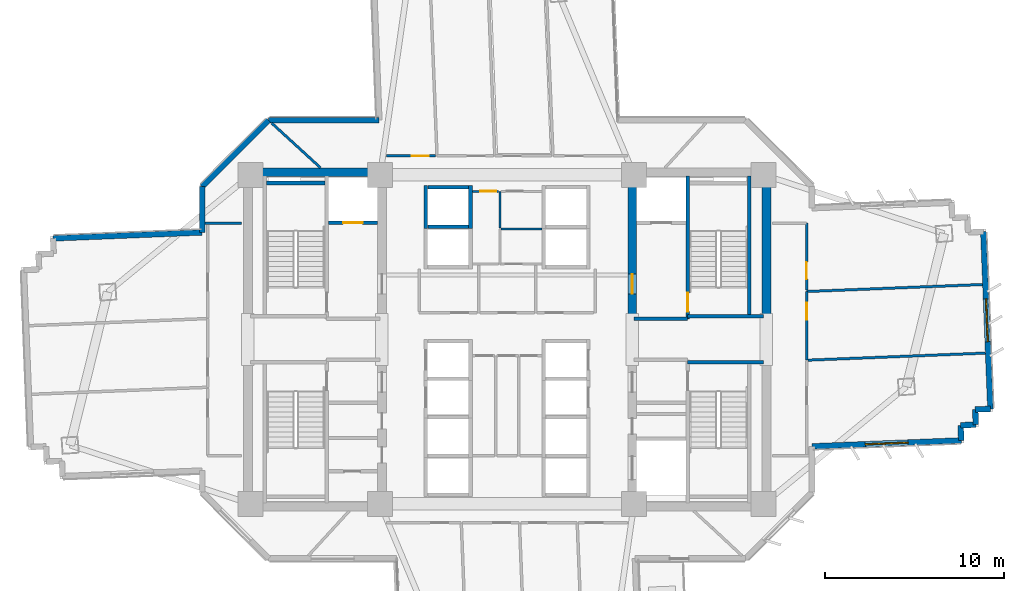
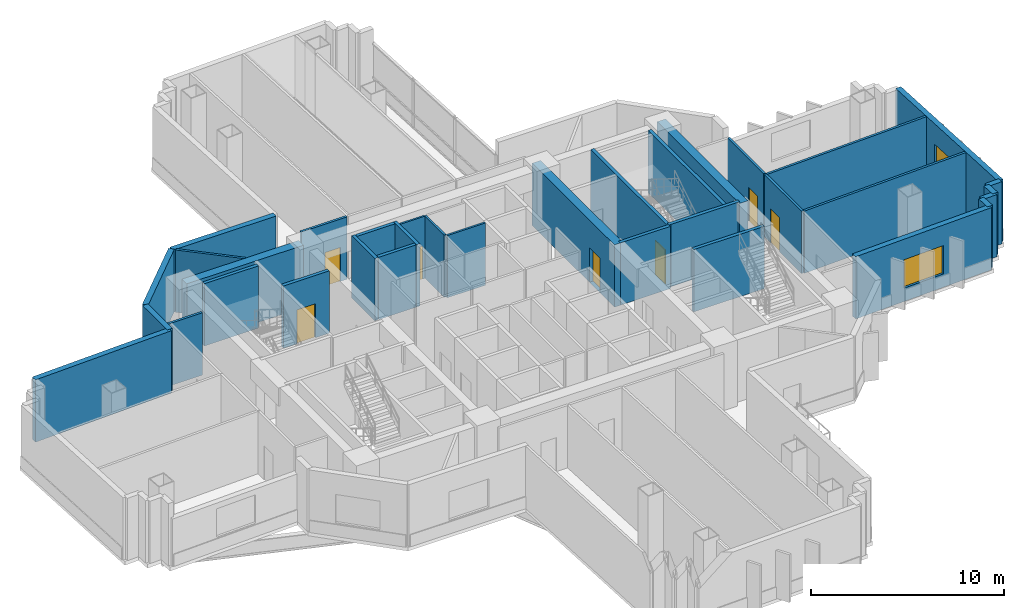
# One storey, part 9 of 16: 34 walls, 7 doors, 2 windows, 9 openings.
"""IFC4 building model written with IfcOpenShell, lengths in metres."""

from ifc_helpers import new_model, si_unit, direction, frame, frame_2d, origin, place, context, subcontext, project, spatial, rectangle, extrude, source, transform, mapped, material, layer, layer_set, type_object, element, fill, save


model = new_model("IFC4")

# Units and contexts
model_context = context("Model", 3, precision=1e-05, world=origin(), true_north=direction((0.0, 1.0)))
body_context = subcontext(model_context, "Body", "Model", "MODEL_VIEW")
ifc_project = project(units=[si_unit("LENGTHUNIT", "METRE"), si_unit("AREAUNIT", "SQUARE_METRE"), si_unit("VOLUMEUNIT", "CUBIC_METRE"), si_unit("PLANEANGLEUNIT", "RADIAN"), si_unit("MASSUNIT", "GRAM", prefix="KILO")], contexts=[model_context])

# Site, building, storey
site_placement = place(None, origin())
site = spatial("IfcSite", under=ifc_project, at=site_placement, CompositionType="ELEMENT")
building_placement = place(site_placement, origin())
building = spatial("IfcBuilding", under=site, at=building_placement, Name="Zahravan Cultural Tower", CompositionType="ELEMENT")
storey_placement = place(building_placement, frame((0.0, 0.0, 54.300048828125)))
storey = spatial("IfcBuildingStorey", under=building, at=storey_placement, Name="L11", CompositionType="ELEMENT", Elevation=54.300048828125)

# Wall, opening, door
ifc_material_1 = material(Name="Concrete C60/75", Category="concrete")
ifc_layer_1 = layer(ifc_material_1, 0.5)
ifc_layer_set_1 = layer_set([ifc_layer_1], Name="Concrete C60/75")
wall_type_1 = type_object("IfcWallType", Name="CW-SHEAR-500-C60", PredefinedType="SHEAR", material=ifc_layer_set_1)
wall_1_placement = place(storey_placement, frame((43.0, 28.050048828125, 0.0), z_axis=(0.0, 0.0, 1.0), x_axis=(0.0, 1.0, 0.0)))
wall_1 = element("IfcWall", 1, at=wall_1_placement, inside=storey, type_object=wall_type_1, Name="L11 Core Shear Wall CW-E-WN-L11", PredefinedType="SHEAR", context=body_context, shape_type="SweptSolid", body=[
    extrude(rectangle(XDim=8.550048828125, YDim=0.5, at=frame_2d((4.27490234375, 0.0))), origin(), (0.0, 0.0, 1.0), 3.949951171875),
])
opening_1_placement = place(wall_1_placement, frame((1.5, 0.0, 0.0)))
opening_1 = element("IfcOpeningElement", 2, at=opening_1_placement, cuts=wall_1, Name="Opening D-L11-06", PredefinedType="OPENING", context=body_context, shape_type="SweptSolid", body=[
    extrude(rectangle(XDim=1.10009765625, YDim=2.199951171875, at=frame_2d((0.550048828125, 1.10009765625))), frame((0.0, 0.260009765625, 0.0), z_axis=(0.0, -1.0, 0.0), x_axis=(1.0, 0.0, 0.0)), (0.0, 0.0, 1.0), 0.52001953125),
])
ifc_material_2 = material(Name="Steel ASTM A572 Grade 50", Category="steel")
door_type_1 = type_object("IfcDoorType", Name="DR-LOBBY-1100", OperationType="NOTDEFINED", PredefinedType="DOOR", material=ifc_material_2)
shared_shape_1 = source(origin(), body_context, "Body", "SweptSolid", [
    extrude(rectangle(XDim=1.10009765625, YDim=2.199951171875, at=frame_2d((0.550048828125, 1.10009765625))), frame((0.0, 0.02490234375, 0.0), z_axis=(0.0, -1.0, 0.0), x_axis=(1.0, 0.0, 0.0)), (0.0, 0.0, 1.0), 0.050048828125),
])
door_1_placement = place(opening_1_placement, origin())
door_1 = element("IfcDoor", 3, at=door_1_placement, inside=storey, type_object=door_type_1, Name="L11 Door D-L11-06", OperationType="SINGLE_SWING_RIGHT", OverallHeight=2.199951171875, OverallWidth=1.10009765625, PredefinedType="DOOR", context=body_context, shape_type="MappedRepresentation", body=[
    mapped(shared_shape_1, transform((0.0, 0.0, 0.0), x_axis=(1.0, 0.0, 0.0), y_axis=(0.0, 1.0, 0.0), z_axis=(0.0, 0.0, 1.0), scale=1.0)),
])
fill(opening_1, door_1)

# Wall, opening, window
ifc_material_3 = material(Name="Precast concrete C40/50", Category="concrete")
ifc_layer_2 = layer(ifc_material_3, 0.320068359375)
ifc_layer_set_2 = layer_set([ifc_layer_2], Name="Precast concrete C40/50")
wall_type_2 = type_object("IfcWallType", Name="EW-TC-320", PredefinedType="SOLIDWALL", material=ifc_layer_set_2)
wall_2_placement = place(storey_placement, frame((62.641357421875, 33.024658203125, 0.0), z_axis=(0.0, 0.0, 1.0), x_axis=(0.03977146366, -0.999208802342, 0.0)))
wall_2 = element("IfcWall", 4, at=wall_2_placement, inside=storey, type_object=wall_type_2, Name="L11 Exterior Masonry Frame Wall 06", PredefinedType="SOLIDWALL", context=body_context, shape_type="SweptSolid", body=[
    extrude(rectangle(XDim=9.919921875, YDim=0.320068359375, at=frame_2d((4.9599609375, 0.0))), origin(), (0.0, 0.0, 1.0), 3.949951171875),
])
opening_2_placement = place(wall_2_placement, frame((3.760009765625, 0.0, 0.85009765625)))
opening_2 = element("IfcOpeningElement", 5, at=opening_2_placement, cuts=wall_2, Name="Opening WN-01", PredefinedType="OPENING", context=body_context, shape_type="SweptSolid", body=[
    extrude(rectangle(XDim=2.39990234375, YDim=1.800048828125, at=frame_2d((1.199951171875, 0.89990234375))), frame((0.0, 0.169921875, 0.0), z_axis=(0.0, -1.0, 0.0), x_axis=(1.0, 0.0, 0.0)), (0.0, 0.0, 1.0), 0.340087890625),
])
ifc_material_4 = material(Name="Low-E solar-control double glazing", Category="glass")
window_type = type_object("IfcWindowType", Name="WN-REC-2400X1800", PartitioningType="DOUBLE_PANEL_VERTICAL", PredefinedType="WINDOW", material=ifc_material_4)
shared_shape_2 = source(origin(), body_context, "Body", "SweptSolid", [
    extrude(rectangle(XDim=2.39990234375, YDim=1.800048828125, at=frame_2d((1.199951171875, 0.89990234375))), frame((0.0, 0.030029296875, 0.0), z_axis=(0.0, -1.0, 0.0), x_axis=(1.0, 0.0, 0.0)), (0.0, 0.0, 1.0), 0.06005859375),
])
window_1_placement = place(opening_2_placement, origin())
window_1 = element("IfcWindow", 6, at=window_1_placement, inside=storey, type_object=window_type, Name="L11 Recessed Solar Window 02", OverallHeight=1.800048828125, OverallWidth=2.39990234375, PartitioningType="DOUBLE_PANEL_VERTICAL", PredefinedType="WINDOW", context=body_context, shape_type="MappedRepresentation", body=[
    mapped(shared_shape_2, transform((0.0, 0.0, 0.0), x_axis=(1.0, 0.0, 0.0), y_axis=(0.0, 1.0, 0.0), z_axis=(0.0, 0.0, 1.0), scale=1.0)),
])
fill(opening_2, window_1)

wall_3_placement = place(storey_placement, frame((61.405029296875, 21.34619140625, 0.0), z_axis=(0.0, 0.0, 1.0), x_axis=(-0.999208226989, -0.039785916063, 0.0)))
wall_3 = element("IfcWall", 7, at=wall_3_placement, inside=storey, type_object=wall_type_2, Name="L11 Exterior Masonry Frame Wall 11", PredefinedType="SOLIDWALL", context=body_context, shape_type="SweptSolid", body=[
    extrude(rectangle(XDim=8.3515625, YDim=0.320068359375, at=frame_2d((4.17578125, 0.0))), origin(), (0.0, 0.0, 1.0), 3.949951171875),
])
opening_3_placement = place(wall_3_placement, frame((2.97607421875, 0.0, 0.85009765625)))
opening_3 = element("IfcOpeningElement", 8, at=opening_3_placement, cuts=wall_3, Name="Opening WN-01", PredefinedType="OPENING", context=body_context, shape_type="SweptSolid", body=[
    extrude(rectangle(XDim=2.39990234375, YDim=1.800048828125, at=frame_2d((1.199951171875, 0.89990234375))), frame((0.0, 0.169921875, 0.0), z_axis=(0.0, -1.0, 0.0), x_axis=(1.0, 0.0, 0.0)), (0.0, 0.0, 1.0), 0.340087890625),
])
window_2_placement = place(opening_3_placement, origin())
window_2 = element("IfcWindow", 9, at=window_2_placement, inside=storey, type_object=window_type, Name="L11 Recessed Solar Window 03", OverallHeight=1.800048828125, OverallWidth=2.39990234375, PartitioningType="DOUBLE_PANEL_VERTICAL", PredefinedType="WINDOW", context=body_context, shape_type="MappedRepresentation", body=[
    mapped(shared_shape_2, transform((0.0, 0.0, 0.0), x_axis=(1.0, 0.0, 0.0), y_axis=(0.0, 1.0, 0.0), z_axis=(0.0, 0.0, 1.0), scale=1.0)),
])
fill(opening_3, window_2)

# Wall, opening, door
ifc_material_5 = material(Name="Gypsum plasterboard partition")
ifc_layer_3 = layer(ifc_material_5, 0.139892578125)
ifc_layer_set_3 = layer_set([ifc_layer_3], Name="Gypsum plasterboard partition")
wall_type_3 = type_object("IfcWallType", Name="W-PART-140", PredefinedType="PARTITIONING", material=ifc_layer_set_3)
wall_4_placement = place(storey_placement, frame((52.75, 25.83544921875, 0.0), z_axis=(0.0, 0.0, 1.0), x_axis=(0.0, 1.0, 0.0)))
wall_4 = element("IfcWall", 10, at=wall_4_placement, inside=storey, type_object=wall_type_3, Name="L11 Interior Wall 091", PredefinedType="PARTITIONING", context=body_context, shape_type="SweptSolid", body=[
    extrude(rectangle(XDim=3.843017578125, YDim=0.139892578125, at=frame_2d((1.92138671875, 0.0))), origin(), (0.0, 0.0, 1.0), 3.949951171875),
])
opening_4_placement = place(wall_4_placement, frame((2.256591796875, 0.0, 0.0)))
opening_4 = element("IfcOpeningElement", 11, at=opening_4_placement, cuts=wall_4, Name="Opening D-L11-22", PredefinedType="OPENING", context=body_context, shape_type="SweptSolid", body=[
    extrude(rectangle(XDim=0.949951171875, YDim=2.14990234375, at=frame_2d((0.47509765625, 1.074951171875))), frame((0.0, 0.079833984375, 0.0), z_axis=(0.0, -1.0, 0.0), x_axis=(1.0, 0.0, 0.0)), (0.0, 0.0, 1.0), 0.159912109375),
])
ifc_material_6 = material(Name="Anodised bronze-aluminium mullion", Category="aluminium")
door_type_2 = type_object("IfcDoorType", Name="DR-ROOM-950", OperationType="NOTDEFINED", PredefinedType="DOOR", material=ifc_material_6)
shared_shape_3 = source(origin(), body_context, "Body", "SweptSolid", [
    extrude(rectangle(XDim=0.949951171875, YDim=2.14990234375, at=frame_2d((0.47509765625, 1.074951171875))), frame((0.0, 0.02490234375, 0.0), z_axis=(0.0, -1.0, 0.0), x_axis=(1.0, 0.0, 0.0)), (0.0, 0.0, 1.0), 0.050048828125),
])
door_2_placement = place(opening_4_placement, origin())
door_2 = element("IfcDoor", 12, at=door_2_placement, inside=storey, type_object=door_type_2, Name="L11 Door D-L11-22", OperationType="SINGLE_SWING_RIGHT", OverallHeight=2.14990234375, OverallWidth=0.949951171875, PredefinedType="DOOR", context=body_context, shape_type="MappedRepresentation", body=[
    mapped(shared_shape_3, transform((0.0, 0.0, 0.0), x_axis=(1.0, 0.0, 0.0), y_axis=(0.0, 1.0, 0.0), z_axis=(0.0, 0.0, 1.0), scale=1.0)),
])
fill(opening_4, door_2)

wall_5_placement = place(storey_placement, frame((32.003662109375, 37.260009765625, 0.0), z_axis=(0.0, 0.0, 1.0), x_axis=(-0.999999996048, -8.8904694e-05, 0.0)))
wall_5 = element("IfcWall", 13, at=wall_5_placement, inside=storey, type_object=wall_type_3, Name="L11 Interior Wall 112", PredefinedType="PARTITIONING", context=body_context, shape_type="SweptSolid", body=[
    extrude(rectangle(XDim=2.74609375, YDim=0.139892578125, at=frame_2d((1.373046875, 0.0))), origin(), (0.0, 0.0, 1.0), 3.949951171875),
])
opening_5_placement = place(wall_5_placement, frame((0.39501953125, 0.0, 0.0)))
opening_5 = element("IfcOpeningElement", 14, at=opening_5_placement, cuts=wall_5, Name="Opening D-L11-27", PredefinedType="OPENING", context=body_context, shape_type="SweptSolid", body=[
    extrude(rectangle(XDim=0.949951171875, YDim=2.14990234375, at=frame_2d((0.47509765625, 1.074951171875))), frame((0.0, 0.079833984375, 0.0), z_axis=(0.0, -1.0, 0.0), x_axis=(1.0, 0.0, 0.0)), (0.0, 0.0, 1.0), 0.159912109375),
])
door_3_placement = place(opening_5_placement, origin())
door_3 = element("IfcDoor", 15, at=door_3_placement, inside=storey, type_object=door_type_2, Name="L11 Door D-L11-27", OperationType="SINGLE_SWING_LEFT", OverallHeight=2.14990234375, OverallWidth=0.949951171875, PredefinedType="DOOR", context=body_context, shape_type="MappedRepresentation", body=[
    mapped(shared_shape_3, transform((0.0, 0.0, 0.0), x_axis=(1.0, 0.0, 0.0), y_axis=(0.0, 1.0, 0.0), z_axis=(0.0, 0.0, 1.0), scale=1.0)),
])
fill(opening_5, door_3)

wall_6_placement = place(storey_placement, frame((52.75, 29.75341796875, 0.0), z_axis=(0.0, 0.0, 1.0), x_axis=(-0.000326030238, 0.999999946852, 0.0)))
wall_6 = element("IfcWall", 16, at=wall_6_placement, inside=storey, type_object=wall_type_3, Name="L11 Interior Wall 119", PredefinedType="PARTITIONING", context=body_context, shape_type="SweptSolid", body=[
    extrude(rectangle(XDim=3.744140625, YDim=0.139892578125, at=frame_2d((1.8720703125, 0.0))), origin(), (0.0, 0.0, 1.0), 3.949951171875),
])
opening_6_placement = place(wall_6_placement, frame((0.61474609375, 0.0, 0.0)))
opening_6 = element("IfcOpeningElement", 17, at=opening_6_placement, cuts=wall_6, Name="Opening D-L11-23", PredefinedType="OPENING", context=body_context, shape_type="SweptSolid", body=[
    extrude(rectangle(XDim=0.949951171875, YDim=2.14990234375, at=frame_2d((0.47509765625, 1.074951171875))), frame((0.0, 0.079833984375, 0.0), z_axis=(0.0, -1.0, 0.0), x_axis=(1.0, 0.0, 0.0)), (0.0, 0.0, 1.0), 0.159912109375),
])
door_4_placement = place(opening_6_placement, origin())
door_4 = element("IfcDoor", 18, at=door_4_placement, inside=storey, type_object=door_type_2, Name="L11 Door D-L11-23", OperationType="SINGLE_SWING_LEFT", OverallHeight=2.14990234375, OverallWidth=0.949951171875, PredefinedType="DOOR", context=body_context, shape_type="MappedRepresentation", body=[
    mapped(shared_shape_3, transform((0.0, 0.0, 0.0), x_axis=(1.0, 0.0, 0.0), y_axis=(0.0, 1.0, 0.0), z_axis=(0.0, 0.0, 1.0), scale=1.0)),
])
fill(opening_6, door_4)

ifc_material_7 = material(Name="Concrete C45/55", Category="concrete")
ifc_layer_4 = layer(ifc_material_7, 0.199951171875)
ifc_layer_set_4 = layer_set([ifc_layer_4], Name="Concrete C45/55")
wall_type_4 = type_object("IfcWallType", Name="W-SHAFT-200", PredefinedType="SOLIDWALL", material=ifc_layer_set_4)
wall_7_placement = place(storey_placement, frame((46.10009765625, 28.14990234375, 0.0), z_axis=(0.0, 0.0, 1.0), x_axis=(0.0, 1.0, 0.0)))
wall_7 = element("IfcWall", 19, at=wall_7_placement, inside=storey, type_object=wall_type_4, Name="L11 Interior Wall 008", PredefinedType="SOLIDWALL", context=body_context, shape_type="SweptSolid", body=[
    extrude(rectangle(XDim=8.0, YDim=0.199951171875, at=frame_2d((4.0, 0.0))), origin(), (0.0, 0.0, 1.0), 3.949951171875),
])
opening_7_placement = place(wall_7_placement, frame((0.39990234375, 0.0, 0.0)))
opening_7 = element("IfcOpeningElement", 20, at=opening_7_placement, cuts=wall_7, Name="Opening D-L11-02", PredefinedType="OPENING", context=body_context, shape_type="SweptSolid", body=[
    extrude(rectangle(XDim=1.050048828125, YDim=2.14990234375, at=frame_2d((0.52490234375, 1.074951171875))), frame((0.0, 0.10986328125, 0.0), z_axis=(0.0, -1.0, 0.0), x_axis=(1.0, 0.0, 0.0)), (0.0, 0.0, 1.0), 0.219970703125),
])
door_type_3 = type_object("IfcDoorType", Name="DR-STAIR-1050", OperationType="NOTDEFINED", PredefinedType="DOOR", material=ifc_material_2)
shared_shape_4 = source(origin(), body_context, "Body", "SweptSolid", [
    extrude(rectangle(XDim=1.050048828125, YDim=2.14990234375, at=frame_2d((0.52490234375, 1.074951171875))), frame((0.0, 0.02490234375, 0.0), z_axis=(0.0, -1.0, 0.0), x_axis=(1.0, 0.0, 0.0)), (0.0, 0.0, 1.0), 0.050048828125),
])
door_5_placement = place(opening_7_placement, origin())
door_5 = element("IfcDoor", 21, at=door_5_placement, inside=storey, type_object=door_type_3, Name="L11 Door D-L11-02", OperationType="SINGLE_SWING_RIGHT", OverallHeight=2.14990234375, OverallWidth=1.050048828125, PredefinedType="DOOR", context=body_context, shape_type="MappedRepresentation", body=[
    mapped(shared_shape_4, transform((0.0, 0.0, 0.0), x_axis=(1.0, 0.0, 0.0), y_axis=(0.0, 1.0, 0.0), z_axis=(0.0, 0.0, 1.0), scale=1.0)),
])
fill(opening_7, door_5)

wall_8_placement = place(storey_placement, frame((26.0, 33.52001953125, 0.0), z_axis=(0.0, 0.0, 1.0), x_axis=(1.0, 0.0, 0.0)))
wall_8 = element("IfcWall", 22, at=wall_8_placement, inside=storey, type_object=wall_type_4, Name="L11 Interior Wall 021", PredefinedType="SOLIDWALL", context=body_context, shape_type="SweptSolid", body=[
    extrude(rectangle(XDim=2.75, YDim=0.199951171875, at=frame_2d((1.375, 0.0))), origin(), (0.0, 0.0, 1.0), 3.949951171875),
])
opening_8_placement = place(wall_8_placement, frame((0.820068359375, 0.0, 0.0)))
opening_8 = element("IfcOpeningElement", 23, at=opening_8_placement, cuts=wall_8, Name="Opening LD-L11-01", PredefinedType="OPENING", context=body_context, shape_type="SweptSolid", body=[
    extrude(rectangle(XDim=1.10009765625, YDim=2.14990234375, at=frame_2d((0.550048828125, 1.074951171875))), frame((0.0, 0.10986328125, 0.0), z_axis=(0.0, -1.0, 0.0), x_axis=(1.0, 0.0, 0.0)), (0.0, 0.0, 1.0), 0.219970703125),
])
door_type_4 = type_object("IfcDoorType", Name="DR-LIFT-1100", OperationType="DOUBLE_DOOR_SLIDING", PredefinedType="DOOR", material=ifc_material_2)
shared_shape_5 = source(origin(), body_context, "Body", "SweptSolid", [
    extrude(rectangle(XDim=1.10009765625, YDim=2.14990234375, at=frame_2d((0.550048828125, 1.074951171875))), frame((0.0, 0.02490234375, 0.0), z_axis=(0.0, -1.0, 0.0), x_axis=(1.0, 0.0, 0.0)), (0.0, 0.0, 1.0), 0.050048828125),
])
door_6_placement = place(opening_8_placement, origin())
door_6 = element("IfcDoor", 24, at=door_6_placement, inside=storey, type_object=door_type_4, Name="L11 Door LD-L11-01", OperationType="DOUBLE_DOOR_SLIDING", OverallHeight=2.14990234375, OverallWidth=1.10009765625, PredefinedType="DOOR", context=body_context, shape_type="MappedRepresentation", body=[
    mapped(shared_shape_5, transform((0.0, 0.0, 0.0), x_axis=(1.0, 0.0, 0.0), y_axis=(0.0, 1.0, 0.0), z_axis=(0.0, 0.0, 1.0), scale=1.0)),
])
fill(opening_8, door_6)

ifc_layer_5 = layer(ifc_material_5, 0.114990234375)
ifc_layer_set_5 = layer_set([ifc_layer_5], Name="Gypsum plasterboard partition")
wall_type_5 = type_object("IfcWallType", Name="W-WC-115", PredefinedType="PARTITIONING", material=ifc_layer_set_5)
wall_9_placement = place(storey_placement, frame((34.054931640625, 35.280029296875, 0.0), z_axis=(0.0, 0.0, 1.0), x_axis=(1.0, 0.0, 0.0)))
wall_9 = element("IfcWall", 25, at=wall_9_placement, inside=storey, type_object=wall_type_5, Name="L11 Interior Wall 075", PredefinedType="PARTITIONING", context=body_context, shape_type="SweptSolid", body=[
    extrude(rectangle(XDim=1.47265625, YDim=0.114990234375, at=frame_2d((0.736328125, 0.0))), origin(), (0.0, 0.0, 1.0), 3.949951171875),
])
opening_9_placement = place(wall_9_placement, frame((0.4326171875, 0.0, 0.0)))
opening_9 = element("IfcOpeningElement", 26, at=opening_9_placement, cuts=wall_9, Name="Opening D-L11-13", PredefinedType="OPENING", context=body_context, shape_type="SweptSolid", body=[
    extrude(rectangle(XDim=0.89990234375, YDim=2.10009765625, at=frame_2d((0.449951171875, 1.050048828125))), frame((0.0, 0.0673828125, 0.0), z_axis=(0.0, -1.0, 0.0), x_axis=(1.0, 0.0, 0.0)), (0.0, 0.0, 1.0), 0.135009765625),
])
door_type_5 = type_object("IfcDoorType", Name="DR-WC-900", OperationType="NOTDEFINED", PredefinedType="DOOR", material=ifc_material_6)
shared_shape_6 = source(origin(), body_context, "Body", "SweptSolid", [
    extrude(rectangle(XDim=0.89990234375, YDim=2.10009765625, at=frame_2d((0.449951171875, 1.050048828125))), frame((0.0, 0.02490234375, 0.0), z_axis=(0.0, -1.0, 0.0), x_axis=(1.0, 0.0, 0.0)), (0.0, 0.0, 1.0), 0.050048828125),
])
door_7_placement = place(opening_9_placement, origin())
door_7 = element("IfcDoor", 27, at=door_7_placement, inside=storey, type_object=door_type_5, Name="L11 Door D-L11-13", OperationType="SINGLE_SWING_LEFT", OverallHeight=2.10009765625, OverallWidth=0.89990234375, PredefinedType="DOOR", context=body_context, shape_type="MappedRepresentation", body=[
    mapped(shared_shape_6, transform((0.0, 0.0, 0.0), x_axis=(1.0, 0.0, 0.0), y_axis=(0.0, 1.0, 0.0), z_axis=(0.0, 0.0, 1.0), scale=1.0)),
])
fill(opening_9, door_7)

# Walls
shared_shape_7 = source(origin(), body_context, "Body", "SweptSolid", [
    extrude(rectangle(XDim=8.550048828125, YDim=0.5, at=frame_2d((4.27490234375, 0.0))), origin(), (0.0, 0.0, 1.0), 3.949951171875),
])
wall_10_placement = place(storey_placement, frame((50.5, 28.050048828125, 0.0), z_axis=(0.0, 0.0, 1.0), x_axis=(0.0, 1.0, 0.0)))
element("IfcWall", 28, at=wall_10_placement, inside=storey, type_object=wall_type_1, Name="L11 Core Shear Wall CW-E-EN-L11", PredefinedType="SHEAR", context=body_context, shape_type="MappedRepresentation", body=[
    mapped(shared_shape_7, transform((0.0, 0.0, 0.0), x_axis=(1.0, 0.0, 0.0), y_axis=(0.0, 1.0, 0.0), z_axis=(0.0, 0.0, 1.0), scale=1.0)),
])
shared_shape_8 = source(origin(), body_context, "Body", "SweptSolid", [
    extrude(rectangle(XDim=7.0, YDim=0.5, at=frame_2d((3.5, 0.0))), origin(), (0.0, 0.0, 1.0), 3.949951171875),
])
wall_11_placement = place(storey_placement, frame((21.75, 36.35009765625, 0.0), z_axis=(0.0, 0.0, 1.0), x_axis=(1.0, 0.0, 0.0)))
element("IfcWall", 29, at=wall_11_placement, inside=storey, type_object=wall_type_1, Name="L11 Core Shear Wall CW-W-N-L11", PredefinedType="SHEAR", context=body_context, shape_type="MappedRepresentation", body=[
    mapped(shared_shape_8, transform((0.0, 0.0, 0.0), x_axis=(1.0, 0.0, 0.0), y_axis=(0.0, 1.0, 0.0), z_axis=(0.0, 0.0, 1.0), scale=1.0)),
])
shared_shape_9 = source(origin(), body_context, "Body", "SweptSolid", [
    extrude(rectangle(XDim=0.849853515625, YDim=0.320068359375, at=frame_2d((0.4248046875, 0.0))), origin(), (0.0, 0.0, 1.0), 3.949951171875),
])
wall_12_placement = place(storey_placement, frame((63.035888671875, 23.112548828125, 0.0), z_axis=(0.0, 0.0, 1.0), x_axis=(-0.999202334929, -0.039933618331, 0.0)))
element("IfcWall", 30, at=wall_12_placement, inside=storey, type_object=wall_type_2, Name="L11 Exterior Masonry Frame Wall 07", PredefinedType="SOLIDWALL", context=body_context, shape_type="MappedRepresentation", body=[
    mapped(shared_shape_9, transform((0.0, 0.0, 0.0), x_axis=(1.0, 0.0, 0.0), y_axis=(0.0, 1.0, 0.0), z_axis=(0.0, 0.0, 1.0), scale=1.0)),
])
shared_shape_10 = source(origin(), body_context, "Body", "SweptSolid", [
    extrude(rectangle(XDim=0.85009765625, YDim=0.320068359375, at=frame_2d((0.425048828125, 0.0))), origin(), (0.0, 0.0, 1.0), 3.949951171875),
])
for number, where, z_axis, x_axis, name in (
    (31, (62.186767578125, 23.07861328125, 0.0), (0.0, 0.0, 1.0), (0.039635401209, -0.999214208752, 0.0), "L11 Exterior Masonry Frame Wall 08"),
    (32, (62.220458984375, 22.229248046875, 0.0), (0.0, 0.0, 1.0), (-0.999214208752, -0.039635401209, 0.0), "L11 Exterior Masonry Frame Wall 09"),
    (33, (61.37109375, 22.195556640625, 0.0), (0.0, 0.0, 1.0), (0.039922158152, -0.999202792875, 0.0), "L11 Exterior Masonry Frame Wall 10"),
):
    element("IfcWall", number, at=place(storey_placement, frame(where, z_axis=z_axis, x_axis=x_axis)), inside=storey, type_object=wall_type_2, Name=name, PredefinedType="SOLIDWALL", context=body_context, shape_type="MappedRepresentation", body=[
        mapped(shared_shape_10, transform((0.0, 0.0, 0.0), x_axis=(1.0, 0.0, 0.0), y_axis=(0.0, 1.0, 0.0), z_axis=(0.0, 0.0, 1.0), scale=1.0)),
    ])
shared_shape_11 = source(origin(), body_context, "Body", "SweptSolid", [
    extrude(rectangle(XDim=5.258056640625, YDim=0.320068359375, at=frame_2d((2.62890625, 0.0))), origin(), (0.0, 0.0, 1.0), 3.949951171875),
])
wall_13_placement = place(storey_placement, frame((18.93994140625, 35.5419921875, 0.0), z_axis=(0.0, 0.0, 1.0), x_axis=(0.707106781187, 0.707106781187, 0.0)))
element("IfcWall", 34, at=wall_13_placement, inside=storey, type_object=wall_type_2, Name="L11 Exterior Masonry Frame Wall 40", PredefinedType="SOLIDWALL", context=body_context, shape_type="MappedRepresentation", body=[
    mapped(shared_shape_11, transform((0.0, 0.0, 0.0), x_axis=(1.0, 0.0, 0.0), y_axis=(0.0, 1.0, 0.0), z_axis=(0.0, 0.0, 1.0), scale=1.0)),
])
shared_shape_12 = source(origin(), body_context, "Body", "SweptSolid", [
    extrude(rectangle(XDim=2.555908203125, YDim=0.320068359375, at=frame_2d((1.27783203125, 0.0))), origin(), (0.0, 0.0, 1.0), 3.949951171875),
])
wall_14_placement = place(storey_placement, frame((18.93994140625, 32.986083984375, 0.0), z_axis=(0.0, 0.0, 1.0), x_axis=(0.0, 1.0, 0.0)))
element("IfcWall", 35, at=wall_14_placement, inside=storey, type_object=wall_type_2, Name="L11 Exterior Masonry Frame Wall 39", PredefinedType="SOLIDWALL", context=body_context, shape_type="MappedRepresentation", body=[
    mapped(shared_shape_12, transform((0.0, 0.0, 0.0), x_axis=(1.0, 0.0, 0.0), y_axis=(0.0, 1.0, 0.0), z_axis=(0.0, 0.0, 1.0), scale=1.0)),
])
shared_shape_13 = source(origin(), body_context, "Body", "SweptSolid", [
    extrude(rectangle(XDim=8.3515625, YDim=0.320068359375, at=frame_2d((4.17578125, 0.0))), origin(), (0.0, 0.0, 1.0), 3.949951171875),
])
wall_15_placement = place(storey_placement, frame((10.594970703125, 32.65380859375, 0.0), z_axis=(0.0, 0.0, 1.0), x_axis=(0.999208226989, 0.039785916063, 0.0)))
element("IfcWall", 36, at=wall_15_placement, inside=storey, type_object=wall_type_2, Name="L11 Exterior Masonry Frame Wall 38", PredefinedType="SOLIDWALL", context=body_context, shape_type="MappedRepresentation", body=[
    mapped(shared_shape_13, transform((0.0, 0.0, 0.0), x_axis=(1.0, 0.0, 0.0), y_axis=(0.0, 1.0, 0.0), z_axis=(0.0, 0.0, 1.0), scale=1.0)),
])
shared_shape_14 = source(origin(), body_context, "Body", "SweptSolid", [
    extrude(rectangle(XDim=6.188720703125, YDim=0.320068359375, at=frame_2d((3.09423828125, 0.0))), origin(), (0.0, 0.0, 1.0), 3.949951171875),
])
wall_16_placement = place(storey_placement, frame((22.657958984375, 39.260009765625, 0.0), z_axis=(0.0, 0.0, 1.0), x_axis=(1.0, 0.0, 0.0)))
element("IfcWall", 37, at=wall_16_placement, inside=storey, type_object=wall_type_2, Name="L11 Exterior Masonry Frame Wall 41", PredefinedType="SOLIDWALL", context=body_context, shape_type="MappedRepresentation", body=[
    mapped(shared_shape_14, transform((0.0, 0.0, 0.0), x_axis=(1.0, 0.0, 0.0), y_axis=(0.0, 1.0, 0.0), z_axis=(0.0, 0.0, 1.0), scale=1.0)),
])
shared_shape_15 = source(origin(), body_context, "Body", "SweptSolid", [
    extrude(rectangle(XDim=7.869873046875, YDim=0.199951171875, at=frame_2d((3.93505859375, 0.0))), origin(), (0.0, 0.0, 1.0), 3.949951171875),
])
wall_17_placement = place(storey_placement, frame((49.550048828125, 28.280029296875, 0.0), z_axis=(0.0, 0.0, 1.0), x_axis=(0.0, 1.0, 0.0)))
element("IfcWall", 38, at=wall_17_placement, inside=storey, type_object=wall_type_4, Name="L11 Interior Wall 004", PredefinedType="SOLIDWALL", context=body_context, shape_type="MappedRepresentation", body=[
    mapped(shared_shape_15, transform((0.0, 0.0, 0.0), x_axis=(1.0, 0.0, 0.0), y_axis=(0.0, 1.0, 0.0), z_axis=(0.0, 0.0, 1.0), scale=1.0)),
])
shared_shape_16 = source(origin(), body_context, "Body", "SweptSolid", [
    extrude(rectangle(XDim=4.25, YDim=0.199951171875, at=frame_2d((2.125, 0.0))), origin(), (0.0, 0.0, 1.0), 3.949951171875),
])
for number, where, z_axis, x_axis, name in (
    (39, (46.10009765625, 25.715087890625, 0.0), (0.0, 0.0, 1.0), (1.0, 0.0, 0.0), "L11 Interior Wall 014"),
    (40, (46.10009765625, 28.284912109375, 0.0), (0.0, 0.0, 1.0), (1.0, 0.0, 0.0), "L11 Interior Wall 016"),
):
    element("IfcWall", number, at=place(storey_placement, frame(where, z_axis=z_axis, x_axis=x_axis)), inside=storey, type_object=wall_type_4, Name=name, PredefinedType="SOLIDWALL", context=body_context, shape_type="MappedRepresentation", body=[
        mapped(shared_shape_16, transform((0.0, 0.0, 0.0), x_axis=(1.0, 0.0, 0.0), y_axis=(0.0, 1.0, 0.0), z_axis=(0.0, 0.0, 1.0), scale=1.0)),
    ])
shared_shape_17 = source(origin(), body_context, "Body", "SweptSolid", [
    extrude(rectangle(XDim=3.0, YDim=0.199951171875, at=frame_2d((1.5, 0.0))), origin(), (0.0, 0.0, 1.0), 3.949951171875),
])
wall_18_placement = place(storey_placement, frame((43.10009765625, 28.14990234375, 0.0), z_axis=(0.0, 0.0, 1.0), x_axis=(1.0, 0.0, 0.0)))
element("IfcWall", 41, at=wall_18_placement, inside=storey, type_object=wall_type_4, Name="L11 Interior Wall 015", PredefinedType="SOLIDWALL", context=body_context, shape_type="MappedRepresentation", body=[
    mapped(shared_shape_17, transform((0.0, 0.0, 0.0), x_axis=(1.0, 0.0, 0.0), y_axis=(0.0, 1.0, 0.0), z_axis=(0.0, 0.0, 1.0), scale=1.0)),
])
shared_shape_18 = source(origin(), body_context, "Body", "SweptSolid", [
    extrude(rectangle(XDim=3.25, YDim=0.199951171875, at=frame_2d((1.625, 0.0))), origin(), (0.0, 0.0, 1.0), 3.949951171875),
])
wall_19_placement = place(storey_placement, frame((22.550048828125, 35.75, 0.0), z_axis=(0.0, 0.0, 1.0), x_axis=(1.0, 0.0, 0.0)))
element("IfcWall", 42, at=wall_19_placement, inside=storey, type_object=wall_type_4, Name="L11 Interior Wall 017", PredefinedType="SOLIDWALL", context=body_context, shape_type="MappedRepresentation", body=[
    mapped(shared_shape_18, transform((0.0, 0.0, 0.0), x_axis=(1.0, 0.0, 0.0), y_axis=(0.0, 1.0, 0.0), z_axis=(0.0, 0.0, 1.0), scale=1.0)),
])
shared_shape_19 = source(origin(), body_context, "Body", "SweptSolid", [
    extrude(rectangle(XDim=2.400146484375, YDim=0.199951171875, at=frame_2d((1.2001953125, 0.0))), origin(), (0.0, 0.0, 1.0), 3.949951171875),
])
for number, where, z_axis, x_axis, name in (
    (43, (31.449951171875, 33.199951171875, 0.0), (0.0, 0.0, 1.0), (0.0, 1.0, 0.0), "L11 Interior Wall 029"),
    (44, (33.949951171875, 33.199951171875, 0.0), (0.0, 0.0, 1.0), (0.0, 1.0, 0.0), "L11 Interior Wall 030"),
):
    element("IfcWall", number, at=place(storey_placement, frame(where, z_axis=z_axis, x_axis=x_axis)), inside=storey, type_object=wall_type_4, Name=name, PredefinedType="SOLIDWALL", context=body_context, shape_type="MappedRepresentation", body=[
        mapped(shared_shape_19, transform((0.0, 0.0, 0.0), x_axis=(1.0, 0.0, 0.0), y_axis=(0.0, 1.0, 0.0), z_axis=(0.0, 0.0, 1.0), scale=1.0)),
    ])
shared_shape_20 = source(origin(), body_context, "Body", "SweptSolid", [
    extrude(rectangle(XDim=2.260009765625, YDim=0.199951171875, at=frame_2d((1.1298828125, 0.0))), origin(), (0.0, 0.0, 1.0), 3.949951171875),
])
for number, where, z_axis, x_axis, name in (
    (45, (31.570068359375, 33.300048828125, 0.0), (0.0, 0.0, 1.0), (1.0, 0.0, 0.0), "L11 Interior Wall 031"),
    (46, (31.570068359375, 35.5, 0.0), (0.0, 0.0, 1.0), (1.0, 0.0, 0.0), "L11 Interior Wall 032"),
):
    element("IfcWall", number, at=place(storey_placement, frame(where, z_axis=z_axis, x_axis=x_axis)), inside=storey, type_object=wall_type_4, Name=name, PredefinedType="SOLIDWALL", context=body_context, shape_type="MappedRepresentation", body=[
        mapped(shared_shape_20, transform((0.0, 0.0, 0.0), x_axis=(1.0, 0.0, 0.0), y_axis=(0.0, 1.0, 0.0), z_axis=(0.0, 0.0, 1.0), scale=1.0)),
    ])
shared_shape_21 = source(origin(), body_context, "Body", "SweptSolid", [
    extrude(rectangle(XDim=2.0400390625, YDim=0.114990234375, at=frame_2d((1.02001953125, 0.0))), origin(), (0.0, 0.0, 1.0), 3.949951171875),
])
wall_20_placement = place(storey_placement, frame((35.590087890625, 33.239990234375, 0.0), z_axis=(0.0, 0.0, 1.0), x_axis=(0.0, 1.0, 0.0)))
element("IfcWall", 47, at=wall_20_placement, inside=storey, type_object=wall_type_5, Name="L11 Interior Wall 072", PredefinedType="PARTITIONING", context=body_context, shape_type="MappedRepresentation", body=[
    mapped(shared_shape_21, transform((0.0, 0.0, 0.0), x_axis=(1.0, 0.0, 0.0), y_axis=(0.0, 1.0, 0.0), z_axis=(0.0, 0.0, 1.0), scale=1.0)),
])
shared_shape_22 = source(origin(), body_context, "Body", "SweptSolid", [
    extrude(rectangle(XDim=2.29248046875, YDim=0.114990234375, at=frame_2d((1.146240234375, 0.0))), origin(), (0.0, 0.0, 1.0), 3.949951171875),
])
wall_21_placement = place(storey_placement, frame((35.652587890625, 33.179931640625, 0.0), z_axis=(0.0, 0.0, 1.0), x_axis=(1.0, 0.0, 0.0)))
element("IfcWall", 48, at=wall_21_placement, inside=storey, type_object=wall_type_5, Name="L11 Interior Wall 071", PredefinedType="PARTITIONING", context=body_context, shape_type="MappedRepresentation", body=[
    mapped(shared_shape_22, transform((0.0, 0.0, 0.0), x_axis=(1.0, 0.0, 0.0), y_axis=(0.0, 1.0, 0.0), z_axis=(0.0, 0.0, 1.0), scale=1.0)),
])
shared_shape_23 = source(origin(), body_context, "Body", "SweptSolid", [
    extrude(rectangle(XDim=9.850830078125, YDim=0.139892578125, at=frame_2d((4.92529296875, 0.0))), origin(), (0.0, 0.0, 1.0), 3.949951171875),
])
wall_22_placement = place(storey_placement, frame((52.7509765625, 29.678466796875, 0.0), z_axis=(0.0, 0.0, 1.0), x_axis=(0.999208542072, 0.039778002084, 0.0)))
element("IfcWall", 49, at=wall_22_placement, inside=storey, type_object=wall_type_3, Name="L11 Interior Wall 092", PredefinedType="PARTITIONING", context=body_context, shape_type="MappedRepresentation", body=[
    mapped(shared_shape_23, transform((0.0, 0.0, 0.0), x_axis=(1.0, 0.0, 0.0), y_axis=(0.0, 1.0, 0.0), z_axis=(0.0, 0.0, 1.0), scale=1.0)),
])
shared_shape_24 = source(origin(), body_context, "Body", "SweptSolid", [
    extrude(rectangle(XDim=9.929443359375, YDim=0.139892578125, at=frame_2d((4.96484375, 0.0))), origin(), (0.0, 0.0, 1.0), 3.949951171875),
])
wall_23_placement = place(storey_placement, frame((62.74658203125, 26.2333984375, 0.0), z_axis=(0.0, 0.0, 1.0), x_axis=(-0.999208364847, -0.039782453661, 0.0)))
element("IfcWall", 50, at=wall_23_placement, inside=storey, type_object=wall_type_3, Name="L11 Interior Wall 093", PredefinedType="PARTITIONING", context=body_context, shape_type="MappedRepresentation", body=[
    mapped(shared_shape_24, transform((0.0, 0.0, 0.0), x_axis=(1.0, 0.0, 0.0), y_axis=(0.0, 1.0, 0.0), z_axis=(0.0, 0.0, 1.0), scale=1.0)),
])
shared_shape_25 = source(origin(), body_context, "Body", "SweptSolid", [
    extrude(rectangle(XDim=3.68896484375, YDim=0.139892578125, at=frame_2d((1.844482421875, 0.0))), origin(), (0.0, 0.0, 1.0), 3.949951171875),
])
wall_24_placement = place(storey_placement, frame((25.556640625, 36.60498046875, 0.0), z_axis=(0.0, 0.0, 1.0), x_axis=(-0.737843279395, 0.674972069831, 0.0)))
element("IfcWall", 51, at=wall_24_placement, inside=storey, type_object=wall_type_3, Name="L11 Interior Wall 113", PredefinedType="PARTITIONING", context=body_context, shape_type="MappedRepresentation", body=[
    mapped(shared_shape_25, transform((0.0, 0.0, 0.0), x_axis=(1.0, 0.0, 0.0), y_axis=(0.0, 1.0, 0.0), z_axis=(0.0, 0.0, 1.0), scale=1.0)),
])
shared_shape_26 = source(origin(), body_context, "Body", "SweptSolid", [
    extrude(rectangle(XDim=2.04931640625, YDim=0.139892578125, at=frame_2d((1.024658203125, 0.0))), origin(), (0.0, 0.0, 1.0), 3.949951171875),
])
wall_25_placement = place(storey_placement, frame((21.1494140625, 33.49658203125, 0.0), z_axis=(0.0, 0.0, 1.0), x_axis=(-0.999999992904, -0.000119132713, 0.0)))
element("IfcWall", 52, at=wall_25_placement, inside=storey, type_object=wall_type_3, Name="L11 Interior Wall 115", PredefinedType="PARTITIONING", context=body_context, shape_type="MappedRepresentation", body=[
    mapped(shared_shape_26, transform((0.0, 0.0, 0.0), x_axis=(1.0, 0.0, 0.0), y_axis=(0.0, 1.0, 0.0), z_axis=(0.0, 0.0, 1.0), scale=1.0)),
])

save(model, "model.ifc")
